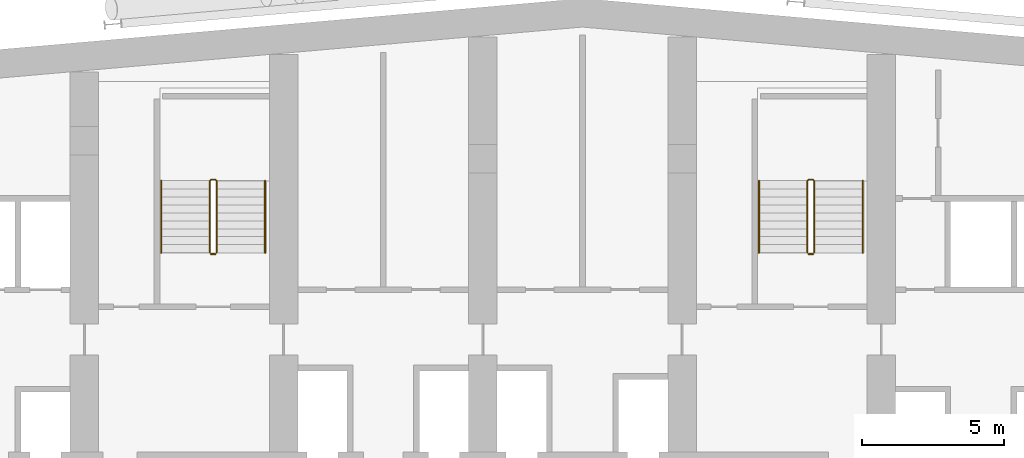
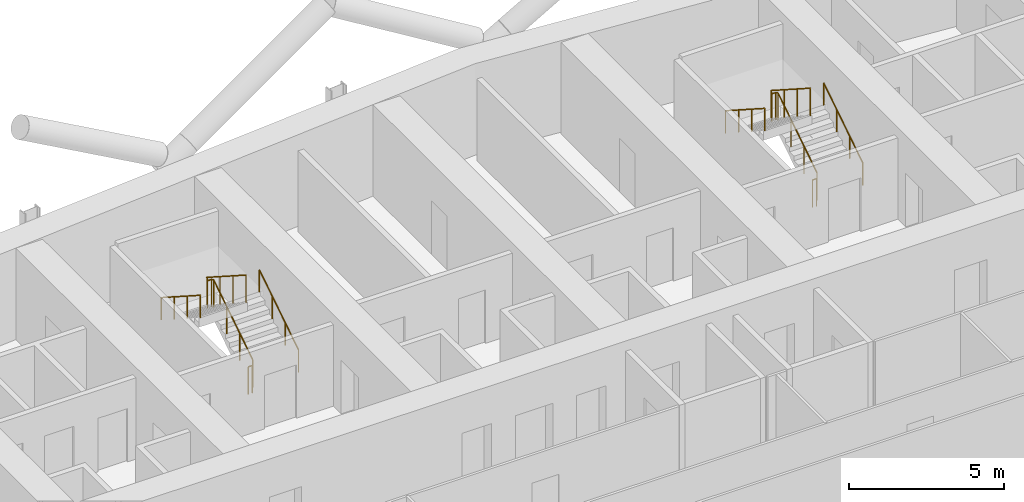
# One storey, part 30 of 31: 8 railings.
"""IFC4 building model written with IfcOpenShell, lengths in metres."""

from ifc_helpers import new_model, si_unit, direction, frame, origin, origin_2d, place, context, subcontext, project, spatial, circle, extrude, material, type_object, element, save


model = new_model("IFC4")

# Units and contexts
model_context = context("Model", 3, precision=1e-05, world=origin(), true_north=direction((0.0, 1.0)))
body_context = subcontext(model_context, "Body", "Model", "MODEL_VIEW")
ifc_project = project(units=[si_unit("LENGTHUNIT", "METRE"), si_unit("AREAUNIT", "SQUARE_METRE"), si_unit("VOLUMEUNIT", "CUBIC_METRE"), si_unit("PLANEANGLEUNIT", "RADIAN"), si_unit("MASSUNIT", "GRAM", prefix="KILO")], contexts=[model_context])

# Site, building, storey
site_placement = place(None, origin())
site = spatial("IfcSite", under=ifc_project, at=site_placement, CompositionType="ELEMENT")
building_placement = place(site_placement, origin())
building = spatial("IfcBuilding", under=site, at=building_placement, Name="Wharfspan Tower", CompositionType="ELEMENT")
storey_placement = place(building_placement, frame((0.0, 0.0, 103.899902)))
storey = spatial("IfcBuildingStorey", under=building, at=storey_placement, Name="L23", CompositionType="ELEMENT", Elevation=103.899902)

# Railings
ifc_material = material(Name="Steel S355J2", Category="steel")
railing_type_1 = type_object("IfcRailingType", Name="Stair guard 1100", PredefinedType="GUARDRAIL", material=ifc_material)
railing_1_placement = place(storey_placement, frame((27.649902, 42.0, 0.180176)))
element("IfcRailing", 1, at=railing_1_placement, inside=storey, type_object=railing_type_1, Name="L23 ST1 stair guard 1", PredefinedType="GUARDRAIL", context=body_context, shape_type="SweptSolid", body=[
    extrude(circle(Radius=0.023926, at=origin_2d()), frame((0.0, 0.0, 1.076172), z_axis=(0.0, 0.8412, 0.540725), x_axis=(-1.0, 0.0, 0.0)), (0.0, 0.0, 1.0), 2.99585),
    extrude(circle(Radius=0.023926, at=origin_2d()), frame((0.0, 2.52002, 2.695801), z_axis=(-0.705376, 0.708834, 0.0), x_axis=(-0.708834, -0.705376, 0.0)), (0.0, 0.0, 1.0), 0.070557),
    extrude(circle(Radius=0.023926, at=origin_2d()), frame((-0.049805, 2.570068, 2.695801), z_axis=(-1.0, 0.0, 0.0), x_axis=(0.0, -1.0, 0.0)), (0.0, 0.0, 1.0), 0.150146),
    extrude(circle(Radius=0.023926, at=origin_2d()), frame((-0.199951, 2.570068, 2.695801), z_axis=(-0.258848, -0.258848, 0.930589), x_axis=(0.707107, -0.707107, 0.0)), (0.0, 0.0, 1.0), 0.193359),
    extrude(circle(Radius=0.023926, at=origin_2d()), frame((-0.25, 2.52002, 2.875977), z_axis=(0.0, -0.841163, 0.540782), x_axis=(1.0, 0.0, 0.0)), (0.0, 0.0, 1.0), 2.99585),
    extrude(circle(Radius=0.020996, at=origin_2d()), origin(), (0.0, 0.0, 1.0), 1.052002),
    extrude(circle(Radius=0.020996, at=origin_2d()), frame((0.0, 0.840088, 0.540039)), (0.0, 0.0, 1.0), 1.052002),
    extrude(circle(Radius=0.020996, at=origin_2d()), frame((0.0, 1.679932, 1.079834)), (0.0, 0.0, 1.0), 1.052002),
    extrude(circle(Radius=0.020996, at=origin_2d()), frame((0.0, 2.52002, 1.619873)), (0.0, 0.0, 1.0), 1.052002),
    extrude(circle(Radius=0.020996, at=origin_2d()), frame((-0.049805, 2.570068, 1.619873)), (0.0, 0.0, 1.0), 1.052002),
    extrude(circle(Radius=0.020996, at=origin_2d()), frame((-0.199951, 2.570068, 1.619873)), (0.0, 0.0, 1.0), 1.052002),
    extrude(circle(Radius=0.020996, at=origin_2d()), frame((-0.25, 2.52002, 1.799805)), (0.0, 0.0, 1.0), 1.052002),
    extrude(circle(Radius=0.020996, at=origin_2d()), frame((-0.25, 1.679932, 2.339844)), (0.0, 0.0, 1.0), 1.052002),
    extrude(circle(Radius=0.020996, at=origin_2d()), frame((-0.25, 0.840088, 2.879883)), (0.0, 0.0, 1.0), 1.052002),
    extrude(circle(Radius=0.020996, at=origin_2d()), frame((-0.25, 0.0, 3.419922)), (0.0, 0.0, 1.0), 1.052002),
])
railing_2_placement = place(storey_placement, frame((27.600098, 41.949951, 0.0)))
element("IfcRailing", 2, at=railing_2_placement, inside=storey, type_object=railing_type_1, Name="L23 ST1 stair guard 2", PredefinedType="GUARDRAIL", context=body_context, shape_type="SweptSolid", body=[
    extrude(circle(Radius=0.023926, at=origin_2d()), frame((0.0, 0.0, 1.076172), z_axis=(-1.0, 0.0, 0.0), x_axis=(0.0, -1.0, 0.0)), (0.0, 0.0, 1.0), 0.150146),
    extrude(circle(Radius=0.020996, at=origin_2d()), origin(), (0.0, 0.0, 1.0), 1.052002),
    extrude(circle(Radius=0.020996, at=origin_2d()), frame((-0.150146, 0.0, 0.0)), (0.0, 0.0, 1.0), 1.052002),
])
railing_3_placement = place(storey_placement, frame((48.649902, 42.0, 0.180176)))
element("IfcRailing", 3, at=railing_3_placement, inside=storey, type_object=railing_type_1, Name="L23 ST2 stair guard 1", PredefinedType="GUARDRAIL", context=body_context, shape_type="SweptSolid", body=[
    extrude(circle(Radius=0.023926, at=origin_2d()), frame((0.0, 0.0, 1.076172), z_axis=(0.0, 0.8412, 0.540725), x_axis=(-1.0, 0.0, 0.0)), (0.0, 0.0, 1.0), 2.99585),
    extrude(circle(Radius=0.023926, at=origin_2d()), frame((0.0, 2.52002, 2.695801), z_axis=(-0.705376, 0.708834, 0.0), x_axis=(-0.708834, -0.705376, 0.0)), (0.0, 0.0, 1.0), 0.070557),
    extrude(circle(Radius=0.023926, at=origin_2d()), frame((-0.049805, 2.570068, 2.695801), z_axis=(-1.0, 0.0, 0.0), x_axis=(0.0, -1.0, 0.0)), (0.0, 0.0, 1.0), 0.150146),
    extrude(circle(Radius=0.023926, at=origin_2d()), frame((-0.199951, 2.570068, 2.695801), z_axis=(-0.258848, -0.258848, 0.930589), x_axis=(0.707107, -0.707107, 0.0)), (0.0, 0.0, 1.0), 0.193359),
    extrude(circle(Radius=0.023926, at=origin_2d()), frame((-0.25, 2.52002, 2.875977), z_axis=(0.0, -0.841163, 0.540782), x_axis=(1.0, 0.0, 0.0)), (0.0, 0.0, 1.0), 2.99585),
    extrude(circle(Radius=0.020996, at=origin_2d()), origin(), (0.0, 0.0, 1.0), 1.052002),
    extrude(circle(Radius=0.020996, at=origin_2d()), frame((0.0, 0.840088, 0.540039)), (0.0, 0.0, 1.0), 1.052002),
    extrude(circle(Radius=0.020996, at=origin_2d()), frame((0.0, 1.679932, 1.079834)), (0.0, 0.0, 1.0), 1.052002),
    extrude(circle(Radius=0.020996, at=origin_2d()), frame((0.0, 2.52002, 1.619873)), (0.0, 0.0, 1.0), 1.052002),
    extrude(circle(Radius=0.020996, at=origin_2d()), frame((-0.049805, 2.570068, 1.619873)), (0.0, 0.0, 1.0), 1.052002),
    extrude(circle(Radius=0.020996, at=origin_2d()), frame((-0.199951, 2.570068, 1.619873)), (0.0, 0.0, 1.0), 1.052002),
    extrude(circle(Radius=0.020996, at=origin_2d()), frame((-0.25, 2.52002, 1.799805)), (0.0, 0.0, 1.0), 1.052002),
    extrude(circle(Radius=0.020996, at=origin_2d()), frame((-0.25, 1.679932, 2.339844)), (0.0, 0.0, 1.0), 1.052002),
    extrude(circle(Radius=0.020996, at=origin_2d()), frame((-0.25, 0.840088, 2.879883)), (0.0, 0.0, 1.0), 1.052002),
    extrude(circle(Radius=0.020996, at=origin_2d()), frame((-0.25, 0.0, 3.419922)), (0.0, 0.0, 1.0), 1.052002),
])
railing_4_placement = place(storey_placement, frame((48.600098, 41.949951, 0.0)))
element("IfcRailing", 4, at=railing_4_placement, inside=storey, type_object=railing_type_1, Name="L23 ST2 stair guard 2", PredefinedType="GUARDRAIL", context=body_context, shape_type="SweptSolid", body=[
    extrude(circle(Radius=0.023926, at=origin_2d()), frame((0.0, 0.0, 1.076172), z_axis=(-1.0, 0.0, 0.0), x_axis=(0.0, -1.0, 0.0)), (0.0, 0.0, 1.0), 0.150146),
    extrude(circle(Radius=0.020996, at=origin_2d()), origin(), (0.0, 0.0, 1.0), 1.052002),
    extrude(circle(Radius=0.020996, at=origin_2d()), frame((-0.150146, 0.0, 0.0)), (0.0, 0.0, 1.0), 1.052002),
])
railing_type_2 = type_object("IfcRailingType", Name="Stair handrail 900", PredefinedType="HANDRAIL", material=ifc_material)
railing_5_placement = place(storey_placement, frame((29.350098, 42.0, 0.180176)))
element("IfcRailing", 5, at=railing_5_placement, inside=storey, type_object=railing_type_2, Name="L23 ST1 stair handrail 1", PredefinedType="HANDRAIL", context=body_context, shape_type="SweptSolid", body=[
    extrude(circle(Radius=0.023926, at=origin_2d()), frame((0.0, 0.0, 0.875977), z_axis=(0.0, 0.8412, 0.540725), x_axis=(-1.0, 0.0, 0.0)), (0.0, 0.0, 1.0), 2.99585),
    extrude(circle(Radius=0.020996, at=origin_2d()), origin(), (0.0, 0.0, 1.0), 0.851807),
    extrude(circle(Radius=0.020996, at=origin_2d()), frame((0.0, 0.840088, 0.540039)), (0.0, 0.0, 1.0), 0.851807),
    extrude(circle(Radius=0.020996, at=origin_2d()), frame((0.0, 1.679932, 1.079834)), (0.0, 0.0, 1.0), 0.851807),
    extrude(circle(Radius=0.020996, at=origin_2d()), frame((0.0, 2.52002, 1.619873)), (0.0, 0.0, 1.0), 0.851807),
])
railing_6_placement = place(storey_placement, frame((25.699951, 44.52002, 1.97998)))
element("IfcRailing", 6, at=railing_6_placement, inside=storey, type_object=railing_type_2, Name="L23 ST1 stair handrail 2", PredefinedType="HANDRAIL", context=body_context, shape_type="SweptSolid", body=[
    extrude(circle(Radius=0.023926, at=origin_2d()), frame((0.0, 0.0, 0.875977), z_axis=(0.0, -0.841163, 0.540782), x_axis=(1.0, 0.0, 0.0)), (0.0, 0.0, 1.0), 2.99585),
    extrude(circle(Radius=0.020996, at=origin_2d()), origin(), (0.0, 0.0, 1.0), 0.851807),
    extrude(circle(Radius=0.020996, at=origin_2d()), frame((0.0, -0.840088, 0.540039)), (0.0, 0.0, 1.0), 0.851807),
    extrude(circle(Radius=0.020996, at=origin_2d()), frame((0.0, -1.679932, 1.080078)), (0.0, 0.0, 1.0), 0.851807),
    extrude(circle(Radius=0.020996, at=origin_2d()), frame((0.0, -2.52002, 1.620117)), (0.0, 0.0, 1.0), 0.851807),
])
railing_7_placement = place(storey_placement, frame((50.350098, 42.0, 0.180176)))
element("IfcRailing", 7, at=railing_7_placement, inside=storey, type_object=railing_type_2, Name="L23 ST2 stair handrail 1", PredefinedType="HANDRAIL", context=body_context, shape_type="SweptSolid", body=[
    extrude(circle(Radius=0.023926, at=origin_2d()), frame((0.0, 0.0, 0.875977), z_axis=(0.0, 0.8412, 0.540725), x_axis=(-1.0, 0.0, 0.0)), (0.0, 0.0, 1.0), 2.99585),
    extrude(circle(Radius=0.020996, at=origin_2d()), origin(), (0.0, 0.0, 1.0), 0.851807),
    extrude(circle(Radius=0.020996, at=origin_2d()), frame((0.0, 0.840088, 0.540039)), (0.0, 0.0, 1.0), 0.851807),
    extrude(circle(Radius=0.020996, at=origin_2d()), frame((0.0, 1.679932, 1.079834)), (0.0, 0.0, 1.0), 0.851807),
    extrude(circle(Radius=0.020996, at=origin_2d()), frame((0.0, 2.52002, 1.619873)), (0.0, 0.0, 1.0), 0.851807),
])
railing_8_placement = place(storey_placement, frame((46.699951, 44.52002, 1.97998)))
element("IfcRailing", 8, at=railing_8_placement, inside=storey, type_object=railing_type_2, Name="L23 ST2 stair handrail 2", PredefinedType="HANDRAIL", context=body_context, shape_type="SweptSolid", body=[
    extrude(circle(Radius=0.023926, at=origin_2d()), frame((0.0, 0.0, 0.875977), z_axis=(0.0, -0.841163, 0.540782), x_axis=(1.0, 0.0, 0.0)), (0.0, 0.0, 1.0), 2.99585),
    extrude(circle(Radius=0.020996, at=origin_2d()), origin(), (0.0, 0.0, 1.0), 0.851807),
    extrude(circle(Radius=0.020996, at=origin_2d()), frame((0.0, -0.840088, 0.540039)), (0.0, 0.0, 1.0), 0.851807),
    extrude(circle(Radius=0.020996, at=origin_2d()), frame((0.0, -1.679932, 1.080078)), (0.0, 0.0, 1.0), 0.851807),
    extrude(circle(Radius=0.020996, at=origin_2d()), frame((0.0, -2.52002, 1.620117)), (0.0, 0.0, 1.0), 0.851807),
])

save(model, "model.ifc")
